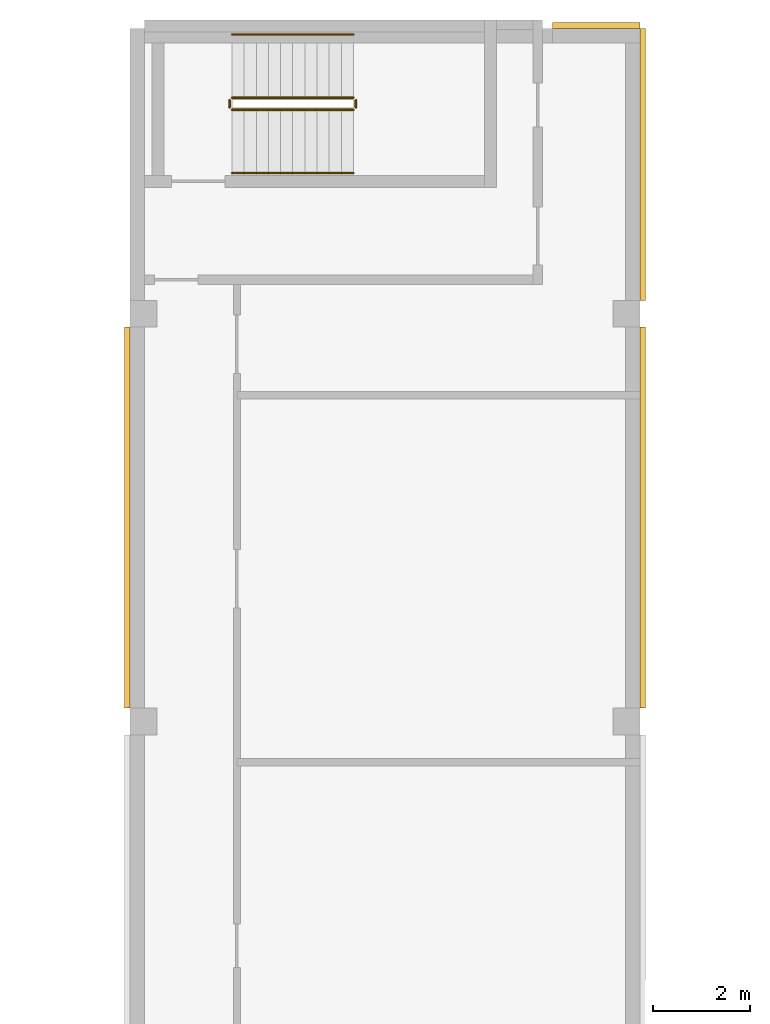
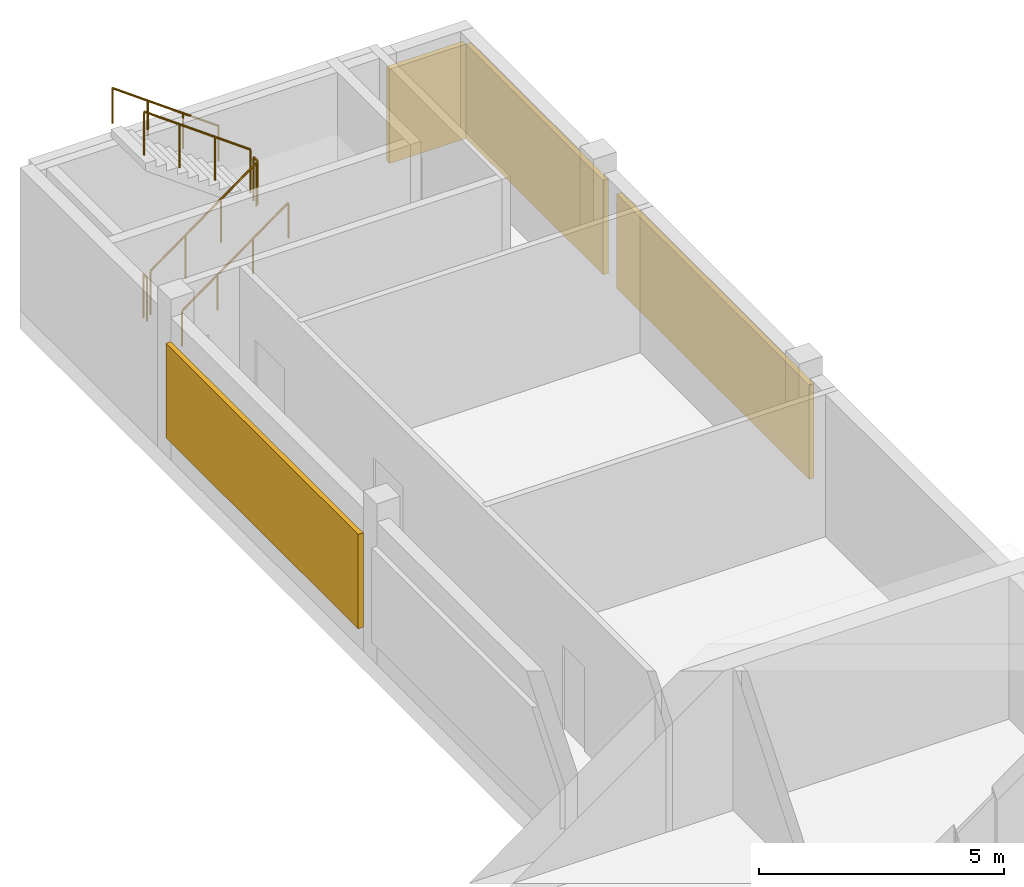
# One storey, part 5 of 5: 6 railings, 4 coverings.
"""IFC4 building model written with IfcOpenShell, lengths in metres."""

from ifc_helpers import new_model, si_unit, direction, frame, origin, origin_2d, place, context, subcontext, project, spatial, rectangle, circle, extrude, source, transform, mapped, material, type_object, element, save


model = new_model("IFC4")

# Units and contexts
model_context = context("Model", 3, precision=1e-05, world=origin(), true_north=direction((0.0, 1.0)))
body_context = subcontext(model_context, "Body", "Model", "MODEL_VIEW")
ifc_project = project(units=[si_unit("LENGTHUNIT", "METRE"), si_unit("AREAUNIT", "SQUARE_METRE"), si_unit("VOLUMEUNIT", "CUBIC_METRE"), si_unit("PLANEANGLEUNIT", "RADIAN"), si_unit("MASSUNIT", "GRAM", prefix="KILO")], contexts=[model_context])

# Site, building, storey
site_placement = place(None, origin())
site = spatial("IfcSite", under=ifc_project, at=site_placement, CompositionType="ELEMENT")
building_placement = place(site_placement, origin())
building = spatial("IfcBuilding", under=site, at=building_placement, Name="Aurelian Terraces", CompositionType="ELEMENT")
storey_placement = place(building_placement, frame((0.0, 0.0, 372.5)))
storey = spatial("IfcBuildingStorey", under=building, at=storey_placement, Name="L89", CompositionType="ELEMENT", Elevation=372.5)

# Coverings
ifc_material_1 = material(Name="Terracotta rainscreen cladding louvre blades", Category="masonry")
covering_type = type_object("IfcCoveringType", Name="LOUVRE-TC", PredefinedType="CLADDING", material=ifc_material_1)
covering_1_placement = place(storey_placement, frame((21.06, 33.6, 0.6), z_axis=(0.0, 0.0, 1.0), x_axis=(1.0, 0.0, 0.0)))
element("IfcCovering", 1, at=covering_1_placement, inside=storey, type_object=covering_type, Name="LOUVRE L89 F04", PredefinedType="CLADDING", context=body_context, shape_type="SweptSolid", body=[
    extrude(rectangle(XDim=0.12, YDim=7.85, at=origin_2d()), origin(), (0.0, 0.0, 1.0), 2.35),
])
covering_2_placement = place(storey_placement, frame((21.06, 40.8775, 0.6), z_axis=(0.0, 0.0, 1.0), x_axis=(1.0, 0.0, 0.0)))
element("IfcCovering", 2, at=covering_2_placement, inside=storey, type_object=covering_type, Name="LOUVRE L89 F04", PredefinedType="CLADDING", context=body_context, shape_type="SweptSolid", body=[
    extrude(rectangle(XDim=0.12, YDim=5.605, at=origin_2d()), origin(), (0.0, 0.0, 1.0), 2.35),
])
covering_3_placement = place(storey_placement, frame((20.1, 43.74, 0.6), z_axis=(0.0, 0.0, 1.0), x_axis=(1.0, 0.0, 0.0)))
element("IfcCovering", 3, at=covering_3_placement, inside=storey, type_object=covering_type, Name="LOUVRE L89 F05", PredefinedType="CLADDING", context=body_context, shape_type="SweptSolid", body=[
    extrude(rectangle(XDim=1.8, YDim=0.12, at=origin_2d()), origin(), (0.0, 0.0, 1.0), 2.35),
])
shared_shape_1 = source(origin(), body_context, "Body", "SweptSolid", [
    extrude(rectangle(XDim=0.12, YDim=7.85, at=origin_2d()), origin(), (0.0, 0.0, 1.0), 2.35),
])
covering_4_placement = place(storey_placement, frame((10.44, 33.6, 0.6), z_axis=(0.0, 0.0, 1.0), x_axis=(1.0, 0.0, 0.0)))
element("IfcCovering", 4, at=covering_4_placement, inside=storey, type_object=covering_type, Name="LOUVRE L89 F06", PredefinedType="CLADDING", context=body_context, shape_type="MappedRepresentation", body=[
    mapped(shared_shape_1, transform((0.0, 0.0, 0.0), scale=1.0)),
])

# Railings
ifc_material_2 = material(Name="Stainless steel", Category="steel")
railing_type_1 = type_object("IfcRailingType", Name="Stair guard 1100", PredefinedType="GUARDRAIL", material=ifc_material_2)
shared_shape_2 = source(origin(), body_context, "Body", "SweptSolid", [
    extrude(circle(Radius=0.024, at=origin_2d()), frame((0.0, 0.0, 1.076), z_axis=(0.0, 1.0, 0.0), x_axis=(-1.0, 0.0, 0.0)), (0.0, 0.0, 1.0), 0.15),
    extrude(circle(Radius=0.021, at=origin_2d()), origin(), (0.0, 0.0, 1.0), 1.052),
    extrude(circle(Radius=0.021, at=origin_2d()), frame((0.0, 0.15, 0.0)), (0.0, 0.0, 1.0), 1.052),
])
for number, where, name in (
    (5, (15.15, 42.05, 2.0), "L89 S3U stair guard 2"),
    (6, (12.55, 42.05, 0.0), "L89 S3U stair guard 4"),
):
    element("IfcRailing", number, at=place(storey_placement, frame(where)), inside=storey, type_object=railing_type_1, Name=name, PredefinedType="GUARDRAIL", context=body_context, shape_type="MappedRepresentation", body=[
        mapped(shared_shape_2, transform((0.0, 0.0, 0.0), scale=1.0)),
    ])
shared_shape_3 = source(origin(), body_context, "Body", "SweptSolid", [
    extrude(circle(Radius=0.024, at=origin_2d()), frame((0.0, 0.0, 1.076), z_axis=(0.808733286514, 0.0, 0.588175544616), x_axis=(0.0, 1.0, 0.0)), (0.0, 0.0, 1.0), 3.0913),
    extrude(circle(Radius=0.021, at=origin_2d()), origin(), (0.0, 0.0, 1.0), 1.052),
    extrude(circle(Radius=0.021, at=origin_2d()), frame((0.8333, 0.0, 0.6061)), (0.0, 0.0, 1.0), 1.052),
    extrude(circle(Radius=0.021, at=origin_2d()), frame((1.6667, 0.0, 1.2121)), (0.0, 0.0, 1.0), 1.052),
    extrude(circle(Radius=0.021, at=origin_2d()), frame((2.5, 0.0, 1.8182)), (0.0, 0.0, 1.0), 1.052),
])
railing_1_placement = place(storey_placement, frame((12.6, 42.0, 0.1818)))
element("IfcRailing", 7, at=railing_1_placement, inside=storey, type_object=railing_type_1, Name="L89 S3U stair guard 1", PredefinedType="GUARDRAIL", context=body_context, shape_type="MappedRepresentation", body=[
    mapped(shared_shape_3, transform((0.0, 0.0, 0.0), scale=1.0)),
])
shared_shape_4 = source(origin(), body_context, "Body", "SweptSolid", [
    extrude(circle(Radius=0.024, at=origin_2d()), frame((0.0, 0.0, 1.076), z_axis=(-0.808733286514, 0.0, 0.588175544616), x_axis=(0.0, -1.0, 0.0)), (0.0, 0.0, 1.0), 3.0913),
    extrude(circle(Radius=0.021, at=origin_2d()), origin(), (0.0, 0.0, 1.0), 1.052),
    extrude(circle(Radius=0.021, at=origin_2d()), frame((-0.8333, 0.0, 0.6061)), (0.0, 0.0, 1.0), 1.052),
    extrude(circle(Radius=0.021, at=origin_2d()), frame((-1.6667, 0.0, 1.2121)), (0.0, 0.0, 1.0), 1.052),
    extrude(circle(Radius=0.021, at=origin_2d()), frame((-2.5, 0.0, 1.8182)), (0.0, 0.0, 1.0), 1.052),
])
railing_2_placement = place(storey_placement, frame((15.1, 42.25, 2.1818)))
element("IfcRailing", 8, at=railing_2_placement, inside=storey, type_object=railing_type_1, Name="L89 S3U stair guard 3", PredefinedType="GUARDRAIL", context=body_context, shape_type="MappedRepresentation", body=[
    mapped(shared_shape_4, transform((0.0, 0.0, 0.0), scale=1.0)),
])
railing_type_2 = type_object("IfcRailingType", Name="Stair handrail", PredefinedType="HANDRAIL", material=ifc_material_2)
shared_shape_5 = source(origin(), body_context, "Body", "SweptSolid", [
    extrude(circle(Radius=0.024, at=origin_2d()), frame((0.0, 0.0, 0.876), z_axis=(0.808733286514, 0.0, 0.588175544616), x_axis=(0.0, 1.0, 0.0)), (0.0, 0.0, 1.0), 3.0913),
    extrude(circle(Radius=0.021, at=origin_2d()), origin(), (0.0, 0.0, 1.0), 0.852),
    extrude(circle(Radius=0.021, at=origin_2d()), frame((0.8333, 0.0, 0.6061)), (0.0, 0.0, 1.0), 0.852),
    extrude(circle(Radius=0.021, at=origin_2d()), frame((1.6667, 0.0, 1.2121)), (0.0, 0.0, 1.0), 0.852),
    extrude(circle(Radius=0.021, at=origin_2d()), frame((2.5, 0.0, 1.8182)), (0.0, 0.0, 1.0), 0.852),
])
railing_3_placement = place(storey_placement, frame((12.6, 40.7, 0.1818)))
element("IfcRailing", 9, at=railing_3_placement, inside=storey, type_object=railing_type_2, Name="L89 S3U stair handrail 1", PredefinedType="HANDRAIL", context=body_context, shape_type="MappedRepresentation", body=[
    mapped(shared_shape_5, transform((0.0, 0.0, 0.0), scale=1.0)),
])
shared_shape_6 = source(origin(), body_context, "Body", "SweptSolid", [
    extrude(circle(Radius=0.024, at=origin_2d()), frame((0.0, 0.0, 0.876), z_axis=(-0.808733286514, 0.0, 0.588175544616), x_axis=(0.0, -1.0, 0.0)), (0.0, 0.0, 1.0), 3.0913),
    extrude(circle(Radius=0.021, at=origin_2d()), origin(), (0.0, 0.0, 1.0), 0.852),
    extrude(circle(Radius=0.021, at=origin_2d()), frame((-0.8333, 0.0, 0.6061)), (0.0, 0.0, 1.0), 0.852),
    extrude(circle(Radius=0.021, at=origin_2d()), frame((-1.6667, 0.0, 1.2121)), (0.0, 0.0, 1.0), 0.852),
    extrude(circle(Radius=0.021, at=origin_2d()), frame((-2.5, 0.0, 1.8182)), (0.0, 0.0, 1.0), 0.852),
])
railing_4_placement = place(storey_placement, frame((15.1, 43.55, 2.1818)))
element("IfcRailing", 10, at=railing_4_placement, inside=storey, type_object=railing_type_2, Name="L89 S3U stair handrail 2", PredefinedType="HANDRAIL", context=body_context, shape_type="MappedRepresentation", body=[
    mapped(shared_shape_6, transform((0.0, 0.0, 0.0), scale=1.0)),
])

save(model, "model.ifc")
